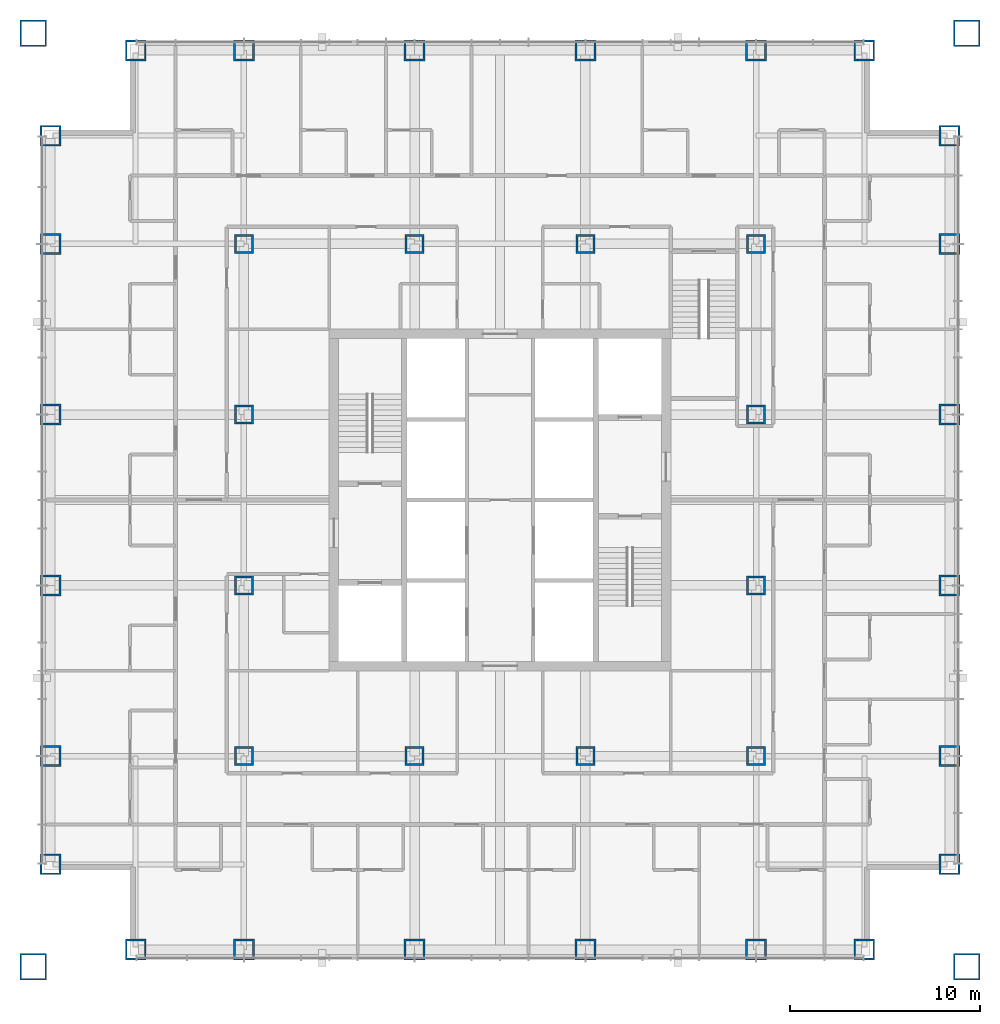
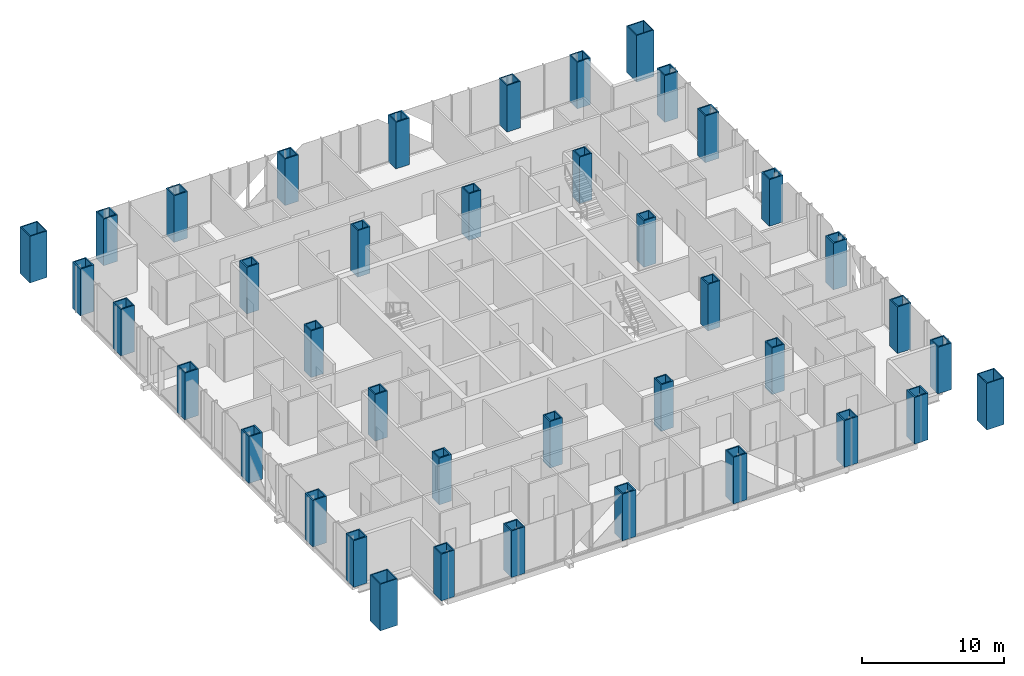
# One storey, part 1 of 18: 40 columns.
"""IFC4 building model written with IfcOpenShell, lengths in metres."""

import ifcopenshell
import ifcopenshell.guid

model = None  # the IFC model being written
_history = None  # IfcOwnerHistory: only IFC2X3 demands one
_inside = {}  # id of a spatial element -> (the spatial element, [elements in it])
_under = {}  # id of a project, library or spatial element -> (it, [spatial elements below it])
_declared = {}  # id of a project -> (the project, [libraries it declares])
_typed = {}  # id of a type object -> (the type object, [elements of that type])
_made_of = {}  # id of a material, layer set ... -> (it, [elements and type objects made of it])


def new_model(schema):
    """Start an empty IFC model of exactly this schema.

    Asked for "IFC4X3", IfcOpenShell would pick the latest addendum, in which some entities
    have other attributes; the version numbers below select the first issue.
    IFC2X3 requires an IfcOwnerHistory on every rooted entity: one is made here for all.
    """
    global model, _history
    if schema == "IFC4X3":
        model = ifcopenshell.file(schema_version=(4, 3, 0, 0))
    else:
        model = ifcopenshell.file(schema=schema)
    _inside.clear()
    _under.clear()
    _declared.clear()
    _typed.clear()
    _made_of.clear()
    _history = None
    if model.schema == "IFC2X3":
        org = make("IfcOrganization", Name="unknown")
        user = make(
            "IfcPersonAndOrganization",
            ThePerson=make("IfcPerson", FamilyName="unknown"),
            TheOrganization=org,
        )
        app = make(
            "IfcApplication",
            ApplicationDeveloper=org,
            Version="unknown",
            ApplicationFullName="unknown",
            ApplicationIdentifier="unknown",
        )
        _history = make(
            "IfcOwnerHistory",
            OwningUser=user,
            OwningApplication=app,
            ChangeAction="ADDED",
            CreationDate=0,
        )
    return model


def make(cls, **values):
    """One entity of the class cls with the attributes given. An attribute that is None is left unset."""
    return model.create_entity(
        cls, **{name: value for name, value in values.items() if value is not None}
    )


def rooted(cls, **values):
    """An entity with a GlobalId (a new one), such as an element, a storey or a relation."""
    return make(cls, GlobalId=ifcopenshell.guid.new(), OwnerHistory=_history, **values)


def si_unit(unit_type, name, prefix=None):
    """IfcSIUnit, for example si_unit("LENGTHUNIT", "METRE", prefix="MILLI")."""
    return make("IfcSIUnit", UnitType=unit_type, Prefix=prefix, Name=name)


def assignment(units):
    """IfcUnitAssignment: the units of a project."""
    return None if units is None else make("IfcUnitAssignment", Units=units)


def point(xyz):
    """IfcCartesianPoint."""
    return None if xyz is None else make("IfcCartesianPoint", Coordinates=xyz)


def direction(xyz):
    """IfcDirection."""
    return None if xyz is None else make("IfcDirection", DirectionRatios=xyz)


def frame(location, z_axis=None, x_axis=None):
    """IfcAxis2Placement3D, a coordinate frame: its origin and axes. An axis left out is left unset."""
    return make(
        "IfcAxis2Placement3D",
        Location=point(location),
        Axis=direction(z_axis),
        RefDirection=direction(x_axis),
    )


def frame_2d(location, x_axis=None):
    """IfcAxis2Placement2D, a coordinate frame in the plane: its origin and x axis."""
    return make(
        "IfcAxis2Placement2D", Location=point(location), RefDirection=direction(x_axis)
    )


def origin():
    """The frame at (0, 0, 0) with its axes left unset."""
    return frame((0.0, 0.0, 0.0))


def origin_2d():
    """The frame at (0, 0) in the plane with its x axis left unset."""
    return frame_2d((0.0, 0.0))


def place(relative_to, where):
    """IfcLocalPlacement: puts the frame where relative to a parent placement (None: the world)."""
    return make(
        "IfcLocalPlacement", PlacementRelTo=relative_to, RelativePlacement=where
    )


def context(
    kind, dimensions, precision=None, world=None, true_north=None, identifier=None
):
    """IfcGeometricRepresentationContext, for example the 3D "Model" context."""
    return make(
        "IfcGeometricRepresentationContext",
        ContextIdentifier=identifier,
        ContextType=kind,
        CoordinateSpaceDimension=dimensions,
        Precision=precision,
        WorldCoordinateSystem=world,
        TrueNorth=true_north,
    )


def subcontext(parent, identifier, kind, view, scale=None):
    """IfcGeometricRepresentationSubContext, for example "Body" below "Model"."""
    return make(
        "IfcGeometricRepresentationSubContext",
        ContextIdentifier=identifier,
        ContextType=kind,
        ParentContext=parent,
        TargetScale=scale,
        TargetView=view,
    )


def project(units=None, contexts=None):
    """IfcProject with its units and contexts."""
    return rooted(
        "IfcProject",
        Name="project",
        RepresentationContexts=contexts,
        UnitsInContext=assignment(units),
    )


def spatial(cls, under=None, at=None, **own):
    """A site, building, storey or space (cls), placed at a placement, below another one or the project."""
    s = rooted(cls, ObjectPlacement=at, **own)
    if under is not None:
        _under.setdefault(under.id(), (under, []))[1].append(s)
    return s


def profile(cls, at=None, kind="AREA", **sizes):
    """A parametric profile (cls). Its sizes go by their IFC names, for example OverallWidth=200.0."""
    return make(cls, ProfileType=kind, Position=at, **sizes)


def hollow_rectangle(**sizes):
    """IfcRectangleHollowProfileDef."""
    return profile("IfcRectangleHollowProfileDef", **sizes)


def extrude(swept, where, along, depth):
    """IfcExtrudedAreaSolid: the profile swept, set in the frame where, extruded along a direction by depth."""
    return make(
        "IfcExtrudedAreaSolid",
        SweptArea=swept,
        Position=where,
        ExtrudedDirection=direction(along),
        Depth=depth,
    )


def shape(context_of_items, identifier, shape_type, items):
    """IfcShapeRepresentation: the items that make up one representation, for example the "Body"."""
    return make(
        "IfcShapeRepresentation",
        ContextOfItems=context_of_items,
        RepresentationIdentifier=identifier,
        RepresentationType=shape_type,
        Items=items,
    )


def material(Name=None, Category=None):
    """IfcMaterial."""
    return make("IfcMaterial", Name=Name, Category=Category)


def material_profile(
    of_material, cross_section, Name=None, Category=None, Priority=None
):
    """IfcMaterialProfile: a cross section and its material."""
    return make(
        "IfcMaterialProfile",
        Name=Name,
        Material=of_material,
        Profile=cross_section,
        Priority=Priority,
        Category=Category,
    )


def profile_set(profiles, Name=None, composite=None):
    """IfcMaterialProfileSet."""
    return make(
        "IfcMaterialProfileSet",
        Name=Name,
        MaterialProfiles=profiles,
        CompositeProfile=composite,
    )


def made_of(thing, what):
    """Note that an element or type object is made of a material, layer set ...; save() writes the relation."""
    if what is not None:
        _made_of.setdefault(what.id(), (what, []))[1].append(thing)
    return thing


def type_object(cls, material=None, **own):
    """A type object (cls), such as IfcWallType, which elements share."""
    return made_of(rooted(cls, **own), material)


def element(
    cls,
    number,
    at=None,
    inside=None,
    cuts=None,
    type_object=None,
    material=None,
    context=None,
    identifier="Body",
    shape_type=None,
    held_by="IfcProductDefinitionShape",
    body=None,
    shapes=None,
    **own,
):
    """One element of the class cls, such as IfcWall. Its Tag is "e" and its number.

    at: its placement. inside: the storey or other place that contains it. cuts: it is an
    opening in that element (IfcRelVoidsElement). A single representation is given by context,
    identifier, shape_type and body (its items); several are given by shapes. held_by: the class
    of the entity that holds the representations. save() writes the other relations.
    """
    e = rooted(cls, Tag="e%d" % number, ObjectPlacement=at, **own)
    if body is not None:
        shapes = [shape(context, identifier, shape_type, body)]
    if shapes is not None:
        e.Representation = make(held_by, Representations=shapes)
    if inside is not None:
        _inside.setdefault(inside.id(), (inside, []))[1].append(e)
    if cuts is not None:
        rooted(
            "IfcRelVoidsElement", RelatingBuildingElement=cuts, RelatedOpeningElement=e
        )
    if type_object is not None:
        _typed.setdefault(type_object.id(), (type_object, []))[1].append(e)
    return made_of(e, material)


def aggregate(whole, parts):
    """IfcRelAggregates: a whole, such as a stair, and the parts it consists of."""
    return rooted("IfcRelAggregates", RelatingObject=whole, RelatedObjects=parts)


def save(model, path):
    """Write the relations noted so far, then the file.

    IfcRelAggregates (storeys below a building ...), IfcRelContainedInSpatialStructure (elements
    in a storey), IfcRelDefinesByType, IfcRelAssociatesMaterial and IfcRelDeclares: one each for
    every whole, place, type object, material and project.
    """
    for whole, parts in _under.values():
        aggregate(whole, parts)
    for where, things in _inside.values():
        rooted(
            "IfcRelContainedInSpatialStructure",
            RelatedElements=things,
            RelatingStructure=where,
        )
    for kind, things in _typed.values():
        rooted("IfcRelDefinesByType", RelatedObjects=things, RelatingType=kind)
    for what, things in _made_of.values():
        rooted("IfcRelAssociatesMaterial", RelatedObjects=things, RelatingMaterial=what)
    for by, libraries in _declared.values():
        rooted("IfcRelDeclares", RelatingContext=by, RelatedDefinitions=libraries)
    model.write(path)


model = new_model("IFC4")

# Units and contexts
model_context = context("Model", 3, precision=1e-05, world=origin(), true_north=direction((0.0, 1.0)))
body_context = subcontext(model_context, "Body", "Model", "MODEL_VIEW")
ifc_project = project(units=[si_unit("LENGTHUNIT", "METRE"), si_unit("AREAUNIT", "SQUARE_METRE"), si_unit("VOLUMEUNIT", "CUBIC_METRE"), si_unit("PLANEANGLEUNIT", "RADIAN"), si_unit("MASSUNIT", "GRAM", prefix="KILO")], contexts=[model_context])

# Site, building, storey
site_placement = place(None, origin())
site = spatial("IfcSite", under=ifc_project, at=site_placement, CompositionType="ELEMENT")
building_placement = place(site_placement, origin())
building = spatial("IfcBuilding", under=site, at=building_placement, Name="Malebo Sky Hospital", CompositionType="ELEMENT")
storey_placement = place(building_placement, frame((0.0, 0.0, 112.0)))
storey = spatial("IfcBuildingStorey", under=building, at=storey_placement, Name="L26", CompositionType="ELEMENT", Elevation=112.0)

# Columns
ifc_material = material(Name="Steel S460", Category="steel")
ifc_material_profile_1 = material_profile(ifc_material, hollow_rectangle(XDim=1.0, YDim=1.0, WallThickness=0.10009765625, at=origin_2d()), Name="BOX 1000x1000x100")
ifc_profile_set_1 = profile_set([ifc_material_profile_1], Name="Steel S460")
column_type_1 = type_object("IfcColumnType", Name="INNER COLUMN BOX 1000x1000x100", PredefinedType="COLUMN", material=ifc_profile_set_1)
for number, where, z_axis, x_axis, name in (
    (1, (46.5, 48.5, 0.0), (0.0, 0.0, 1.0), (1.0, 0.0, 0.0), "Column IC9 L26"),
    (2, (73.5, 48.5, 0.0), (0.0, 0.0, 1.0), (1.0, 0.0, 0.0), "Column IC9 L26"),
    (3, (73.5, 75.5, 0.0), (0.0, 0.0, 1.0), (1.0, 0.0, 0.0), "Column IC9 L26"),
    (4, (46.5, 75.5, 0.0), (0.0, 0.0, 1.0), (1.0, 0.0, 0.0), "Column IC9 L26"),
    (5, (55.5, 48.5, 0.0), (0.0, 0.0, 1.0), (1.0, 0.0, 0.0), "Column IC9 L26"),
    (6, (64.5, 48.5, 0.0), (0.0, 0.0, 1.0), (1.0, 0.0, 0.0), "Column IC9 L26"),
    (7, (55.5, 75.5, 0.0), (0.0, 0.0, 1.0), (1.0, 0.0, 0.0), "Column IC9 L26"),
    (8, (64.5, 75.5, 0.0), (0.0, 0.0, 1.0), (1.0, 0.0, 0.0), "Column IC9 L26"),
    (9, (46.5, 57.5, 0.0), (0.0, 0.0, 1.0), (1.0, 0.0, 0.0), "Column IC9 L26"),
    (10, (46.5, 66.5, 0.0), (0.0, 0.0, 1.0), (1.0, 0.0, 0.0), "Column IC9 L26"),
    (11, (73.5, 57.5, 0.0), (0.0, 0.0, 1.0), (1.0, 0.0, 0.0), "Column IC9 L26"),
    (12, (73.5, 66.5, 0.0), (0.0, 0.0, 1.0), (1.0, 0.0, 0.0), "Column IC9 L26"),
):
    element("IfcColumn", number, at=place(storey_placement, frame(where, z_axis=z_axis, x_axis=x_axis)), inside=storey, type_object=column_type_1, Name=name, PredefinedType="COLUMN", context=body_context, shape_type="SweptSolid", body=[
        extrude(hollow_rectangle(XDim=1.0, YDim=1.0, WallThickness=0.10009765625, at=origin_2d()), origin(), (0.0, 0.0, 1.0), 4.0),
    ])
ifc_material_profile_2 = material_profile(ifc_material, hollow_rectangle(XDim=1.39990234375, YDim=1.39990234375, WallThickness=0.080078125, at=origin_2d()), Name="BOX 1400x1400x80")
ifc_profile_set_2 = profile_set([ifc_material_profile_2], Name="Steel S460")
column_type_2 = type_object("IfcColumnType", Name="MEGA COLUMN BOX 1400x1400x80", PredefinedType="COLUMN", material=ifc_profile_set_2)
for number, where, z_axis, x_axis, name in (
    (13, (35.39990234375, 37.39990234375, 0.0), (0.0, 0.0, 1.0), (1.0, 0.0, 0.0), "Mega column SW L26"),
    (14, (84.60009765625, 37.39990234375, 0.0), (0.0, 0.0, 1.0), (1.0, 0.0, 0.0), "Mega column SE L26"),
    (15, (84.60009765625, 86.60009765625, 0.0), (0.0, 0.0, 1.0), (1.0, 0.0, 0.0), "Mega column NE L26"),
    (16, (35.39990234375, 86.60009765625, 0.0), (0.0, 0.0, 1.0), (1.0, 0.0, 0.0), "Mega column NW L26"),
):
    element("IfcColumn", number, at=place(storey_placement, frame(where, z_axis=z_axis, x_axis=x_axis)), inside=storey, type_object=column_type_2, Name=name, PredefinedType="COLUMN", context=body_context, shape_type="SweptSolid", body=[
        extrude(hollow_rectangle(XDim=1.39990234375, YDim=1.39990234375, WallThickness=0.080078125, at=origin_2d()), origin(), (0.0, 0.0, 1.0), 4.0),
    ])
ifc_material_profile_3 = material_profile(ifc_material, hollow_rectangle(XDim=1.10009765625, YDim=1.10009765625, WallThickness=0.10009765625, at=origin_2d()), Name="BOX 1100x1100x100")
ifc_profile_set_3 = profile_set([ifc_material_profile_3], Name="Steel S460")
column_type_3 = type_object("IfcColumnType", Name="PERIMETER COLUMN BOX 1100x1100x100", PredefinedType="COLUMN", material=ifc_profile_set_3)
for number, where, z_axis, x_axis, name in (
    (17, (40.800048828125, 38.300048828125, 0.0), (0.0, 0.0, 1.0), (1.0, 0.0, 0.0), "Column PC10 L26"),
    (18, (40.800048828125, 85.699951171875, 0.0), (0.0, 0.0, 1.0), (1.0, 0.0, 0.0), "Column PC10 L26"),
    (19, (36.300048828125, 42.800048828125, 0.0), (0.0, 0.0, 1.0), (1.0, 0.0, 0.0), "Column PC10 L26"),
    (20, (83.699951171875, 42.800048828125, 0.0), (0.0, 0.0, 1.0), (1.0, 0.0, 0.0), "Column PC10 L26"),
    (21, (46.5, 38.300048828125, 0.0), (0.0, 0.0, 1.0), (1.0, 0.0, 0.0), "Column PC10 L26"),
    (22, (46.5, 85.699951171875, 0.0), (0.0, 0.0, 1.0), (1.0, 0.0, 0.0), "Column PC10 L26"),
    (23, (36.300048828125, 48.5, 0.0), (0.0, 0.0, 1.0), (1.0, 0.0, 0.0), "Column PC10 L26"),
    (24, (83.699951171875, 48.5, 0.0), (0.0, 0.0, 1.0), (1.0, 0.0, 0.0), "Column PC10 L26"),
    (25, (55.5, 38.300048828125, 0.0), (0.0, 0.0, 1.0), (1.0, 0.0, 0.0), "Column PC10 L26"),
    (26, (55.5, 85.699951171875, 0.0), (0.0, 0.0, 1.0), (1.0, 0.0, 0.0), "Column PC10 L26"),
    (27, (36.300048828125, 57.5, 0.0), (0.0, 0.0, 1.0), (1.0, 0.0, 0.0), "Column PC10 L26"),
    (28, (83.699951171875, 57.5, 0.0), (0.0, 0.0, 1.0), (1.0, 0.0, 0.0), "Column PC10 L26"),
    (29, (64.5, 38.300048828125, 0.0), (0.0, 0.0, 1.0), (1.0, 0.0, 0.0), "Column PC10 L26"),
    (30, (64.5, 85.699951171875, 0.0), (0.0, 0.0, 1.0), (1.0, 0.0, 0.0), "Column PC10 L26"),
    (31, (36.300048828125, 66.5, 0.0), (0.0, 0.0, 1.0), (1.0, 0.0, 0.0), "Column PC10 L26"),
    (32, (83.699951171875, 66.5, 0.0), (0.0, 0.0, 1.0), (1.0, 0.0, 0.0), "Column PC10 L26"),
    (33, (73.5, 38.300048828125, 0.0), (0.0, 0.0, 1.0), (1.0, 0.0, 0.0), "Column PC10 L26"),
    (34, (73.5, 85.699951171875, 0.0), (0.0, 0.0, 1.0), (1.0, 0.0, 0.0), "Column PC10 L26"),
    (35, (36.300048828125, 75.5, 0.0), (0.0, 0.0, 1.0), (1.0, 0.0, 0.0), "Column PC10 L26"),
    (36, (83.699951171875, 75.5, 0.0), (0.0, 0.0, 1.0), (1.0, 0.0, 0.0), "Column PC10 L26"),
    (37, (79.199951171875, 38.300048828125, 0.0), (0.0, 0.0, 1.0), (1.0, 0.0, 0.0), "Column PC10 L26"),
    (38, (79.199951171875, 85.699951171875, 0.0), (0.0, 0.0, 1.0), (1.0, 0.0, 0.0), "Column PC10 L26"),
    (39, (36.300048828125, 81.199951171875, 0.0), (0.0, 0.0, 1.0), (1.0, 0.0, 0.0), "Column PC10 L26"),
    (40, (83.699951171875, 81.199951171875, 0.0), (0.0, 0.0, 1.0), (1.0, 0.0, 0.0), "Column PC10 L26"),
):
    element("IfcColumn", number, at=place(storey_placement, frame(where, z_axis=z_axis, x_axis=x_axis)), inside=storey, type_object=column_type_3, Name=name, PredefinedType="COLUMN", context=body_context, shape_type="SweptSolid", body=[
        extrude(hollow_rectangle(XDim=1.10009765625, YDim=1.10009765625, WallThickness=0.10009765625, at=origin_2d()), origin(), (0.0, 0.0, 1.0), 4.0),
    ])

save(model, "model.ifc")
